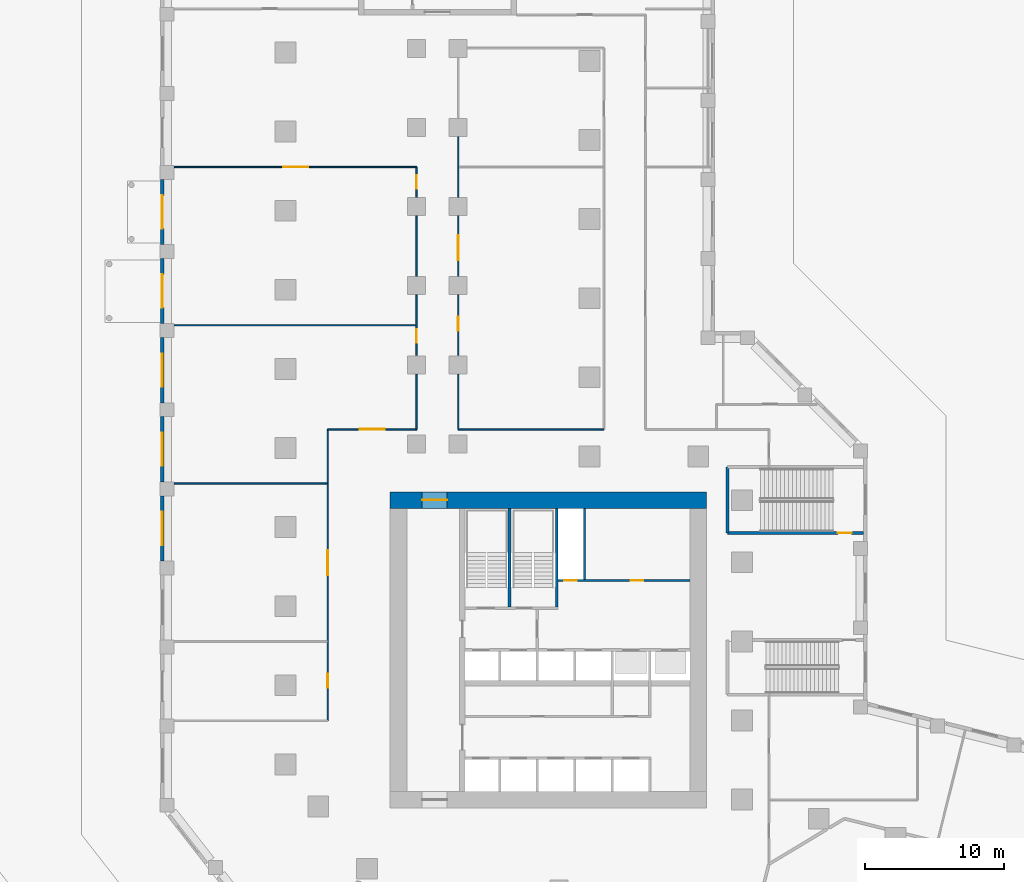
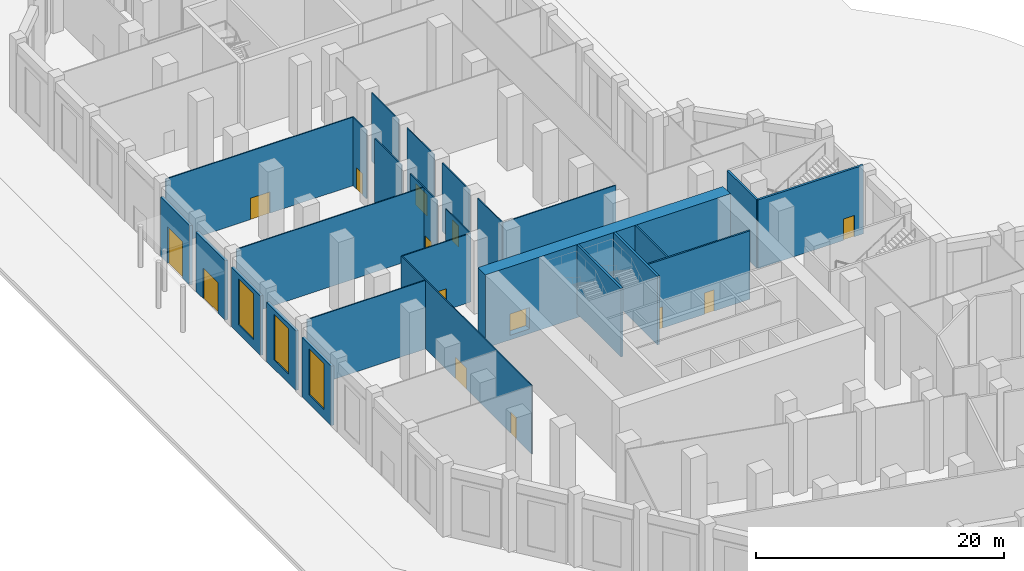
# One storey, part 17 of 27: 26 walls, 14 doors, 3 windows, 17 openings.
"""IFC4 building model written with IfcOpenShell, lengths in metres."""

from ifc_helpers import new_model, si_unit, direction, frame, frame_2d, origin, place, context, subcontext, project, spatial, rectangle, extrude, material, layer, layer_set, type_object, element, fill, save


model = new_model("IFC4")

# Units and contexts
model_context = context("Model", 3, precision=1e-05, world=origin(), true_north=direction((0.0, 1.0)))
body_context = subcontext(model_context, "Body", "Model", "MODEL_VIEW")
ifc_project = project(units=[si_unit("LENGTHUNIT", "METRE"), si_unit("AREAUNIT", "SQUARE_METRE"), si_unit("VOLUMEUNIT", "CUBIC_METRE"), si_unit("PLANEANGLEUNIT", "RADIAN"), si_unit("MASSUNIT", "GRAM", prefix="KILO")], contexts=[model_context])

# Site, building, storey
site_placement = place(None, origin())
site = spatial("IfcSite", under=ifc_project, at=site_placement, CompositionType="ELEMENT")
building_placement = place(site_placement, origin())
building = spatial("IfcBuilding", under=site, at=building_placement, Name="Meshkara Civic Tower", CompositionType="ELEMENT")
storey_placement = place(building_placement, origin())
storey = spatial("IfcBuildingStorey", under=building, at=storey_placement, Name="L00", CompositionType="ELEMENT", Elevation=0.0)

# Wall, openings, doors
ifc_material_1 = material(Name="Blockwork", Category="masonry")
ifc_layer_1 = layer(ifc_material_1, 0.14990234375)
ifc_layer_set_1 = layer_set([ifc_layer_1], Name="Core partition 150")
wall_type_1 = type_object("IfcWallType", Name="Core partition 150", PredefinedType="PARTITIONING", material=ifc_layer_set_1)
wall_1_placement = place(storey_placement, frame((20.10009765625, 30.5, 0.0), z_axis=(0.0, 0.0, 1.0), x_axis=(1.0, 0.0, 0.0)))
wall_1 = element("IfcWall", 1, at=wall_1_placement, inside=storey, type_object=wall_type_1, Name="L00-C010", PredefinedType="PARTITIONING", context=body_context, shape_type="SweptSolid", body=[
    extrude(rectangle(XDim=9.5, YDim=0.14990234375, at=frame_2d((4.75, 0.0))), origin(), (0.0, 0.0, 1.0), 6.75),
])
opening_1_placement = place(wall_1_placement, frame((0.449951171875, 0.0, 0.0)))
opening_1 = element("IfcOpeningElement", 2, at=opening_1_placement, cuts=wall_1, Name="Opening L00-K014", PredefinedType="OPENING", context=body_context, shape_type="SweptSolid", body=[
    extrude(rectangle(XDim=0.89990234375, YDim=2.10009765625, at=frame_2d((0.449951171875, 1.050048828125))), frame((0.0, 0.0849609375, 0.0), z_axis=(0.0, -1.0, 0.0), x_axis=(1.0, 0.0, 0.0)), (0.0, 0.0, 1.0), 0.169921875),
])
opening_2_placement = place(wall_1_placement, frame((5.25, 0.0, 0.0)))
opening_2 = element("IfcOpeningElement", 3, at=opening_2_placement, cuts=wall_1, Name="Opening L00-K015", PredefinedType="OPENING", context=body_context, shape_type="SweptSolid", body=[
    extrude(rectangle(XDim=0.89990234375, YDim=2.10009765625, at=frame_2d((0.449951171875, 1.050048828125))), frame((0.0, 0.0849609375, 0.0), z_axis=(0.0, -1.0, 0.0), x_axis=(1.0, 0.0, 0.0)), (0.0, 0.0, 1.0), 0.169921875),
])
ifc_material_2 = material(Name="Timber door leaf in steel frame", Category="steel")
door_type_1 = type_object("IfcDoorType", Name="Core room door 900", OperationType="SINGLE_SWING_LEFT", PredefinedType="DOOR", material=ifc_material_2)
door_1_placement = place(opening_2_placement, origin())
door_1 = element("IfcDoor", 4, at=door_1_placement, inside=storey, type_object=door_type_1, Name="L00-K015", OperationType="SINGLE_SWING_LEFT", OverallHeight=2.10009765625, OverallWidth=0.89990234375, PredefinedType="DOOR", context=body_context, shape_type="SweptSolid", body=[
    extrude(rectangle(XDim=0.89990234375, YDim=2.10009765625, at=frame_2d((0.449951171875, 1.050048828125))), frame((0.0, 0.02490234375, 0.0), z_axis=(0.0, -1.0, 0.0), x_axis=(1.0, 0.0, 0.0)), (0.0, 0.0, 1.0), 0.050048828125),
])
fill(opening_2, door_1)
ifc_material_3 = material(Name="Fire-rated door leaf in steel frame", Category="steel")
door_type_2 = type_object("IfcDoorType", Name="Riser door 900", OperationType="SINGLE_SWING_LEFT", PredefinedType="DOOR", material=ifc_material_3)
door_2_placement = place(opening_1_placement, origin())
door_2 = element("IfcDoor", 5, at=door_2_placement, inside=storey, type_object=door_type_2, Name="L00-K014", OperationType="SINGLE_SWING_RIGHT", OverallHeight=2.10009765625, OverallWidth=0.89990234375, PredefinedType="DOOR", context=body_context, shape_type="SweptSolid", body=[
    extrude(rectangle(XDim=0.89990234375, YDim=2.10009765625, at=frame_2d((0.449951171875, 1.050048828125))), frame((0.0, 0.02490234375, 0.0), z_axis=(0.0, -1.0, 0.0), x_axis=(1.0, 0.0, 0.0)), (0.0, 0.0, 1.0), 0.050048828125),
])
fill(opening_1, door_2)

# Wall
wall_2_placement = place(storey_placement, frame((22.0, 30.574951171875, 0.0), z_axis=(0.0, 0.0, 1.0), x_axis=(0.0, 1.0, 0.0)))
element("IfcWall", 6, at=wall_2_placement, inside=storey, type_object=wall_type_1, Name="L00-C020", PredefinedType="PARTITIONING", context=body_context, shape_type="SweptSolid", body=[
    extrude(rectangle(XDim=5.125, YDim=0.14990234375, at=frame_2d((2.5625, 0.0))), origin(), (0.0, 0.0, 1.0), 6.75),
])

# Wall, opening, door
ifc_material_4 = material(Name="Concrete C80", Category="concrete")
ifc_layer_2 = layer(ifc_material_4, 1.199951171875)
ifc_layer_set_2 = layer_set([ifc_layer_2], Name="Core ring wall 1200 C80")
wall_type_2 = type_object("IfcWallType", Name="Core ring wall 1200 C80", PredefinedType="SHEAR", material=ifc_layer_set_2)
wall_3_placement = place(storey_placement, frame((8.0, 36.300048828125, -0.449951171875), z_axis=(0.0, 0.0, 1.0), x_axis=(1.0, 0.0, 0.0)))
wall_3 = element("IfcWall", 7, at=wall_3_placement, inside=storey, type_object=wall_type_2, Name="L00-C002", PredefinedType="SHEAR", context=body_context, shape_type="SweptSolid", body=[
    extrude(rectangle(XDim=22.800048828125, YDim=1.199951171875, at=frame_2d((11.39990234375, 0.0))), origin(), (0.0, 0.0, 1.0), 7.199951171875),
])
opening_3_placement = place(wall_3_placement, frame((2.300048828125, 0.0, 0.449951171875)))
opening_3 = element("IfcOpeningElement", 8, at=opening_3_placement, cuts=wall_3, Name="Opening L00-K021", PredefinedType="OPENING", context=body_context, shape_type="SweptSolid", body=[
    extrude(rectangle(XDim=1.800048828125, YDim=2.10009765625, at=frame_2d((0.89990234375, 1.050048828125))), frame((0.0, 0.60986328125, 0.0), z_axis=(0.0, -1.0, 0.0), x_axis=(1.0, 0.0, 0.0)), (0.0, 0.0, 1.0), 1.219970703125),
])
ifc_material_5 = material(Name="Fire-rated door leaf in steel frame", Category="steel")
door_type_3 = type_object("IfcDoorType", Name="Core double door 1800 EI 60", OperationType="DOUBLE_DOOR_SINGLE_SWING", PredefinedType="DOOR", material=ifc_material_5)
door_3_placement = place(opening_3_placement, origin())
door_3 = element("IfcDoor", 9, at=door_3_placement, inside=storey, type_object=door_type_3, Name="L00-K021", OperationType="DOUBLE_DOOR_SINGLE_SWING", OverallHeight=2.10009765625, OverallWidth=1.800048828125, PredefinedType="DOOR", context=body_context, shape_type="SweptSolid", body=[
    extrude(rectangle(XDim=1.800048828125, YDim=2.10009765625, at=frame_2d((0.89990234375, 1.050048828125))), frame((0.0, 0.02490234375, 0.0), z_axis=(0.0, -1.0, 0.0), x_axis=(1.0, 0.0, 0.0)), (0.0, 0.0, 1.0), 0.050048828125),
])
fill(opening_3, door_3)

ifc_material_6 = material(Name="Corridor wall 100")
ifc_layer_3 = layer(ifc_material_6, 0.10009765625)
ifc_layer_set_3 = layer_set([ifc_layer_3], Name="Corridor wall 100")
wall_type_3 = type_object("IfcWallType", Name="Corridor wall 100", PredefinedType="PARTITIONING", material=ifc_layer_set_3)
wall_4_placement = place(storey_placement, frame((-7.580078125, 60.300048828125, 0.0), z_axis=(0.0, 0.0, 1.0), x_axis=(1.0, 0.0, 0.0)))
wall_4 = element("IfcWall", 10, at=wall_4_placement, inside=storey, type_object=wall_type_3, Name="L00-R001", PredefinedType="PARTITIONING", context=body_context, shape_type="SweptSolid", body=[
    extrude(rectangle(XDim=17.47998046875, YDim=0.10009765625, at=frame_2d((8.739990234375, 0.0))), origin(), (0.0, 0.0, 1.0), 6.75),
])
opening_4_placement = place(wall_4_placement, frame((7.8798828125, 0.0, 0.0)))
opening_4 = element("IfcOpeningElement", 11, at=opening_4_placement, cuts=wall_4, Name="Opening L00-P030", PredefinedType="OPENING", context=body_context, shape_type="SweptSolid", body=[
    extrude(rectangle(XDim=1.800048828125, YDim=2.10009765625, at=frame_2d((0.89990234375, 1.050048828125))), frame((0.0, 0.06005859375, 0.0), z_axis=(0.0, -1.0, 0.0), x_axis=(1.0, 0.0, 0.0)), (0.0, 0.0, 1.0), 0.1201171875),
])
ifc_material_7 = material(Name="Door pair 1800 x 2100")
door_type_4 = type_object("IfcDoorType", Name="Door pair 1800 x 2100", OperationType="SINGLE_SWING_LEFT", PredefinedType="DOOR", material=ifc_material_7)
door_4_placement = place(opening_4_placement, origin())
door_4 = element("IfcDoor", 12, at=door_4_placement, inside=storey, type_object=door_type_4, Name="L00-P030", OperationType="DOUBLE_DOOR_SINGLE_SWING", OverallHeight=2.10009765625, OverallWidth=1.800048828125, PredefinedType="DOOR", context=body_context, shape_type="SweptSolid", body=[
    extrude(rectangle(XDim=1.800048828125, YDim=2.10009765625, at=frame_2d((0.89990234375, 1.050048828125))), frame((0.0, 0.02490234375, 0.0), z_axis=(0.0, -1.0, 0.0), x_axis=(1.0, 0.0, 0.0)), (0.0, 0.0, 1.0), 0.050048828125),
])
fill(opening_4, door_4)

# Wall, openings, doors
wall_5_placement = place(storey_placement, frame((3.5, 20.39990234375, 0.0), z_axis=(0.0, 0.0, 1.0), x_axis=(0.0, 1.0, 0.0)))
wall_5 = element("IfcWall", 13, at=wall_5_placement, inside=storey, type_object=wall_type_3, Name="L00-R006", PredefinedType="PARTITIONING", context=body_context, shape_type="SweptSolid", body=[
    extrude(rectangle(XDim=21.0, YDim=0.10009765625, at=frame_2d((10.5, 0.0))), origin(), (0.0, 0.0, 1.0), 6.75),
])
opening_5_placement = place(wall_5_placement, frame((2.3798828125, 0.0, 0.0)))
opening_5 = element("IfcOpeningElement", 14, at=opening_5_placement, cuts=wall_5, Name="Opening L00-P017", PredefinedType="OPENING", context=body_context, shape_type="SweptSolid", body=[
    extrude(rectangle(XDim=1.0, YDim=2.10009765625, at=frame_2d((0.5, 1.050048828125))), frame((0.0, 0.06005859375, 0.0), z_axis=(0.0, -1.0, 0.0), x_axis=(1.0, 0.0, 0.0)), (0.0, 0.0, 1.0), 0.1201171875),
])
opening_6_placement = place(wall_5_placement, frame((10.47998046875, 0.0, 0.0)))
opening_6 = element("IfcOpeningElement", 15, at=opening_6_placement, cuts=wall_5, Name="Opening L00-P020", PredefinedType="OPENING", context=body_context, shape_type="SweptSolid", body=[
    extrude(rectangle(XDim=1.800048828125, YDim=2.10009765625, at=frame_2d((0.89990234375, 1.050048828125))), frame((0.0, 0.06005859375, 0.0), z_axis=(0.0, -1.0, 0.0), x_axis=(1.0, 0.0, 0.0)), (0.0, 0.0, 1.0), 0.1201171875),
])
ifc_material_8 = material(Name="Door 1000 x 2100")
door_type_5 = type_object("IfcDoorType", Name="Door 1000 x 2100", OperationType="SINGLE_SWING_LEFT", PredefinedType="DOOR", material=ifc_material_8)
door_5_placement = place(opening_5_placement, origin())
door_5 = element("IfcDoor", 16, at=door_5_placement, inside=storey, type_object=door_type_5, Name="L00-P017", OperationType="SINGLE_SWING_LEFT", OverallHeight=2.10009765625, OverallWidth=1.0, PredefinedType="DOOR", context=body_context, shape_type="SweptSolid", body=[
    extrude(rectangle(XDim=1.0, YDim=2.10009765625, at=frame_2d((0.5, 1.050048828125))), frame((0.0, 0.02490234375, 0.0), z_axis=(0.0, -1.0, 0.0), x_axis=(1.0, 0.0, 0.0)), (0.0, 0.0, 1.0), 0.050048828125),
])
fill(opening_5, door_5)
door_6_placement = place(opening_6_placement, origin())
door_6 = element("IfcDoor", 17, at=door_6_placement, inside=storey, type_object=door_type_4, Name="L00-P020", OperationType="DOUBLE_DOOR_SINGLE_SWING", OverallHeight=2.10009765625, OverallWidth=1.800048828125, PredefinedType="DOOR", context=body_context, shape_type="SweptSolid", body=[
    extrude(rectangle(XDim=1.800048828125, YDim=2.10009765625, at=frame_2d((0.89990234375, 1.050048828125))), frame((0.0, 0.02490234375, 0.0), z_axis=(0.0, -1.0, 0.0), x_axis=(1.0, 0.0, 0.0)), (0.0, 0.0, 1.0), 0.050048828125),
])
fill(opening_6, door_6)

# Wall, opening, door
wall_6_placement = place(storey_placement, frame((9.89990234375, 41.39990234375, 0.0), z_axis=(0.0, 0.0, 1.0), x_axis=(-1.0, 0.0, 0.0)))
wall_6 = element("IfcWall", 18, at=wall_6_placement, inside=storey, type_object=wall_type_3, Name="L00-R011", PredefinedType="PARTITIONING", context=body_context, shape_type="SweptSolid", body=[
    extrude(rectangle(XDim=6.39990234375, YDim=0.10009765625, at=frame_2d((3.199951171875, 0.0))), origin(), (0.0, 0.0, 1.0), 6.75),
])
opening_7_placement = place(wall_6_placement, frame((2.280029296875, 0.0, 0.0)))
opening_7 = element("IfcOpeningElement", 19, at=opening_7_placement, cuts=wall_6, Name="Opening L00-P022", PredefinedType="OPENING", context=body_context, shape_type="SweptSolid", body=[
    extrude(rectangle(XDim=1.800048828125, YDim=2.10009765625, at=frame_2d((0.89990234375, 1.050048828125))), frame((0.0, 0.06005859375, 0.0), z_axis=(0.0, -1.0, 0.0), x_axis=(1.0, 0.0, 0.0)), (0.0, 0.0, 1.0), 0.1201171875),
])
door_7_placement = place(opening_7_placement, origin())
door_7 = element("IfcDoor", 20, at=door_7_placement, inside=storey, type_object=door_type_4, Name="L00-P022", OperationType="DOUBLE_DOOR_SINGLE_SWING", OverallHeight=2.10009765625, OverallWidth=1.800048828125, PredefinedType="DOOR", context=body_context, shape_type="SweptSolid", body=[
    extrude(rectangle(XDim=1.800048828125, YDim=2.10009765625, at=frame_2d((0.89990234375, 1.050048828125))), frame((0.0, 0.02490234375, 0.0), z_axis=(0.0, -1.0, 0.0), x_axis=(1.0, 0.0, 0.0)), (0.0, 0.0, 1.0), 0.050048828125),
])
fill(opening_7, door_7)

# Wall
wall_7_placement = place(storey_placement, frame((9.89990234375, 45.3798828125, 0.0), z_axis=(0.0, 0.0, 1.0), x_axis=(0.0, -1.0, 0.0)))
element("IfcWall", 21, at=wall_7_placement, inside=storey, type_object=wall_type_3, Name="L00-R012", PredefinedType="PARTITIONING", context=body_context, shape_type="SweptSolid", body=[
    extrude(rectangle(XDim=3.97998046875, YDim=0.10009765625, at=frame_2d((1.989990234375, 0.0))), origin(), (0.0, 0.0, 1.0), 6.75),
])

# Wall, opening, door
wall_8_placement = place(storey_placement, frame((9.89990234375, 51.080078125, 0.0), z_axis=(0.0, 0.0, 1.0), x_axis=(0.0, -1.0, 0.0)))
wall_8 = element("IfcWall", 22, at=wall_8_placement, inside=storey, type_object=wall_type_3, Name="L00-R013", PredefinedType="PARTITIONING", context=body_context, shape_type="SweptSolid", body=[
    extrude(rectangle(XDim=4.360107421875, YDim=0.10009765625, at=frame_2d((2.18017578125, 0.0))), origin(), (0.0, 0.0, 1.0), 6.75),
])
opening_8_placement = place(wall_8_placement, frame((2.4599609375, 0.0, 0.0)))
opening_8 = element("IfcOpeningElement", 23, at=opening_8_placement, cuts=wall_8, Name="Opening L00-P025", PredefinedType="OPENING", context=body_context, shape_type="SweptSolid", body=[
    extrude(rectangle(XDim=1.0, YDim=2.10009765625, at=frame_2d((0.5, 1.050048828125))), frame((0.0, 0.06005859375, 0.0), z_axis=(0.0, -1.0, 0.0), x_axis=(1.0, 0.0, 0.0)), (0.0, 0.0, 1.0), 0.1201171875),
])
door_8_placement = place(opening_8_placement, origin())
door_8 = element("IfcDoor", 24, at=door_8_placement, inside=storey, type_object=door_type_5, Name="L00-P025", OperationType="SINGLE_SWING_LEFT", OverallHeight=2.10009765625, OverallWidth=1.0, PredefinedType="DOOR", context=body_context, shape_type="SweptSolid", body=[
    extrude(rectangle(XDim=1.0, YDim=2.10009765625, at=frame_2d((0.5, 1.050048828125))), frame((0.0, 0.02490234375, 0.0), z_axis=(0.0, -1.0, 0.0), x_axis=(1.0, 0.0, 0.0)), (0.0, 0.0, 1.0), 0.050048828125),
])
fill(opening_8, door_8)

# Wall
wall_9_placement = place(storey_placement, frame((9.89990234375, 56.780029296875, 0.0), z_axis=(0.0, 0.0, 1.0), x_axis=(0.0, -1.0, 0.0)))
element("IfcWall", 25, at=wall_9_placement, inside=storey, type_object=wall_type_3, Name="L00-R014", PredefinedType="PARTITIONING", context=body_context, shape_type="SweptSolid", body=[
    extrude(rectangle(XDim=4.360107421875, YDim=0.10009765625, at=frame_2d((2.18017578125, 0.0))), origin(), (0.0, 0.0, 1.0), 6.75),
])

# Wall, opening, door
wall_10_placement = place(storey_placement, frame((9.89990234375, 60.300048828125, 0.0), z_axis=(0.0, 0.0, 1.0), x_axis=(0.0, -1.0, 0.0)))
wall_10 = element("IfcWall", 26, at=wall_10_placement, inside=storey, type_object=wall_type_3, Name="L00-R015", PredefinedType="PARTITIONING", context=body_context, shape_type="SweptSolid", body=[
    extrude(rectangle(XDim=2.179931640625, YDim=0.10009765625, at=frame_2d((1.08984375, 0.0))), origin(), (0.0, 0.0, 1.0), 6.75),
])
opening_9_placement = place(wall_10_placement, frame((0.580078125, 0.0, 0.0)))
opening_9 = element("IfcOpeningElement", 27, at=opening_9_placement, cuts=wall_10, Name="Opening L00-P028", PredefinedType="OPENING", context=body_context, shape_type="SweptSolid", body=[
    extrude(rectangle(XDim=1.0, YDim=2.10009765625, at=frame_2d((0.5, 1.050048828125))), frame((0.0, 0.06005859375, 0.0), z_axis=(0.0, -1.0, 0.0), x_axis=(1.0, 0.0, 0.0)), (0.0, 0.0, 1.0), 0.1201171875),
])
door_9_placement = place(opening_9_placement, origin())
door_9 = element("IfcDoor", 28, at=door_9_placement, inside=storey, type_object=door_type_5, Name="L00-P028", OperationType="SINGLE_SWING_RIGHT", OverallHeight=2.10009765625, OverallWidth=1.0, PredefinedType="DOOR", context=body_context, shape_type="SweptSolid", body=[
    extrude(rectangle(XDim=1.0, YDim=2.10009765625, at=frame_2d((0.5, 1.050048828125))), frame((0.0, 0.02490234375, 0.0), z_axis=(0.0, -1.0, 0.0), x_axis=(1.0, 0.0, 0.0)), (0.0, 0.0, 1.0), 0.050048828125),
])
fill(opening_9, door_9)

# Wall
wall_11_placement = place(storey_placement, frame((12.89990234375, 41.39990234375, 0.0), z_axis=(0.0, 0.0, 1.0), x_axis=(0.0, 1.0, 0.0)))
element("IfcWall", 29, at=wall_11_placement, inside=storey, type_object=wall_type_3, Name="L00-R019", PredefinedType="PARTITIONING", context=body_context, shape_type="SweptSolid", body=[
    extrude(rectangle(XDim=3.97998046875, YDim=0.10009765625, at=frame_2d((1.989990234375, 0.0))), origin(), (0.0, 0.0, 1.0), 6.75),
])

# Wall, opening, door
wall_12_placement = place(storey_placement, frame((12.89990234375, 46.719970703125, 0.0), z_axis=(0.0, 0.0, 1.0), x_axis=(0.0, 1.0, 0.0)))
wall_12 = element("IfcWall", 30, at=wall_12_placement, inside=storey, type_object=wall_type_3, Name="L00-R020", PredefinedType="PARTITIONING", context=body_context, shape_type="SweptSolid", body=[
    extrude(rectangle(XDim=4.360107421875, YDim=0.10009765625, at=frame_2d((2.18017578125, 0.0))), origin(), (0.0, 0.0, 1.0), 6.75),
])
opening_10_placement = place(wall_12_placement, frame((1.780029296875, 0.0, 0.0)))
opening_10 = element("IfcOpeningElement", 31, at=opening_10_placement, cuts=wall_12, Name="Opening L00-P026", PredefinedType="OPENING", context=body_context, shape_type="SweptSolid", body=[
    extrude(rectangle(XDim=1.0, YDim=2.10009765625, at=frame_2d((0.5, 1.050048828125))), frame((0.0, 0.06005859375, 0.0), z_axis=(0.0, -1.0, 0.0), x_axis=(1.0, 0.0, 0.0)), (0.0, 0.0, 1.0), 0.1201171875),
])
door_10_placement = place(opening_10_placement, origin())
door_10 = element("IfcDoor", 32, at=door_10_placement, inside=storey, type_object=door_type_5, Name="L00-P026", OperationType="SINGLE_SWING_RIGHT", OverallHeight=2.10009765625, OverallWidth=1.0, PredefinedType="DOOR", context=body_context, shape_type="SweptSolid", body=[
    extrude(rectangle(XDim=1.0, YDim=2.10009765625, at=frame_2d((0.5, 1.050048828125))), frame((0.0, 0.02490234375, 0.0), z_axis=(0.0, -1.0, 0.0), x_axis=(1.0, 0.0, 0.0)), (0.0, 0.0, 1.0), 0.050048828125),
])
fill(opening_10, door_10)

wall_13_placement = place(storey_placement, frame((12.89990234375, 52.419921875, 0.0), z_axis=(0.0, 0.0, 1.0), x_axis=(0.0, 1.0, 0.0)))
wall_13 = element("IfcWall", 33, at=wall_13_placement, inside=storey, type_object=wall_type_3, Name="L00-R021", PredefinedType="PARTITIONING", context=body_context, shape_type="SweptSolid", body=[
    extrude(rectangle(XDim=4.360107421875, YDim=0.10009765625, at=frame_2d((2.18017578125, 0.0))), origin(), (0.0, 0.0, 1.0), 6.75),
])
opening_11_placement = place(wall_13_placement, frame((1.179931640625, 0.0, 0.0)))
opening_11 = element("IfcOpeningElement", 34, at=opening_11_placement, cuts=wall_13, Name="Opening L00-P029", PredefinedType="OPENING", context=body_context, shape_type="SweptSolid", body=[
    extrude(rectangle(XDim=1.800048828125, YDim=2.10009765625, at=frame_2d((0.89990234375, 1.050048828125))), frame((0.0, 0.06005859375, 0.0), z_axis=(0.0, -1.0, 0.0), x_axis=(1.0, 0.0, 0.0)), (0.0, 0.0, 1.0), 0.1201171875),
])
door_11_placement = place(opening_11_placement, origin())
door_11 = element("IfcDoor", 35, at=door_11_placement, inside=storey, type_object=door_type_4, Name="L00-P029", OperationType="DOUBLE_DOOR_SINGLE_SWING", OverallHeight=2.10009765625, OverallWidth=1.800048828125, PredefinedType="DOOR", context=body_context, shape_type="SweptSolid", body=[
    extrude(rectangle(XDim=1.800048828125, YDim=2.10009765625, at=frame_2d((0.89990234375, 1.050048828125))), frame((0.0, 0.02490234375, 0.0), z_axis=(0.0, -1.0, 0.0), x_axis=(1.0, 0.0, 0.0)), (0.0, 0.0, 1.0), 0.050048828125),
])
fill(opening_11, door_11)

# Walls
wall_14_placement = place(storey_placement, frame((12.89990234375, 62.47998046875, 0.0), z_axis=(0.0, 0.0, 1.0), x_axis=(0.0, -1.0, 0.0)))
element("IfcWall", 36, at=wall_14_placement, inside=storey, type_object=wall_type_3, Name="L00-R022", PredefinedType="PARTITIONING", context=body_context, shape_type="SweptSolid", body=[
    extrude(rectangle(XDim=4.35986328125, YDim=0.10009765625, at=frame_2d((2.179931640625, 0.0))), origin(), (0.0, 0.0, 1.0), 6.75),
])
wall_15_placement = place(storey_placement, frame((23.39990234375, 41.39990234375, 0.0), z_axis=(0.0, 0.0, 1.0), x_axis=(-1.0, 0.0, 0.0)))
element("IfcWall", 37, at=wall_15_placement, inside=storey, type_object=wall_type_3, Name="L00-R032", PredefinedType="PARTITIONING", context=body_context, shape_type="SweptSolid", body=[
    extrude(rectangle(XDim=10.5, YDim=0.10009765625, at=frame_2d((5.25, 0.0))), origin(), (0.0, 0.0, 1.0), 6.75),
])

# Wall, opening, door
ifc_material_9 = material(Name="Stone cladding on insulated backing wall", Category="masonry")
ifc_layer_4 = layer(ifc_material_9, 0.25)
ifc_layer_set_4 = layer_set([ifc_layer_4], Name="PODIUM BEARING STONE WALL 250")
wall_type_4 = type_object("IfcWallType", Name="PODIUM BEARING STONE WALL 250", PredefinedType="SOLIDWALL", material=ifc_layer_set_4)
wall_16_placement = place(storey_placement, frame((-8.425048828125, 59.410888671875, 0.0), z_axis=(0.0, 0.0, 1.0), x_axis=(0.0, -1.0, 0.0)))
wall_16 = element("IfcWall", 38, at=wall_16_placement, inside=storey, type_object=wall_type_4, Name="Podium external wall", PredefinedType="SOLIDWALL", context=body_context, shape_type="SweptSolid", body=[
    extrude(rectangle(XDim=4.699951171875, YDim=0.25, at=frame_2d((2.35009765625, 0.0))), origin(), (0.0, 0.0, 1.0), 5.85205078125),
])
opening_12_placement = place(wall_16_placement, frame((1.14990234375, 0.0, 0.0)))
opening_12 = element("IfcOpeningElement", 39, at=opening_12_placement, cuts=wall_16, Name="Opening L00-G006", PredefinedType="OPENING", context=body_context, shape_type="SweptSolid", body=[
    extrude(rectangle(XDim=2.39990234375, YDim=3.60009765625, at=frame_2d((1.199951171875, 1.800048828125))), frame((0.0, 0.135009765625, 0.0), z_axis=(0.0, -1.0, 0.0), x_axis=(1.0, 0.0, 0.0)), (0.0, 0.0, 1.0), 0.27001953125),
])
ifc_material_10 = material(Name="Bronze anodised aluminium", Category="aluminium")
door_type_6 = type_object("IfcDoorType", Name="COUNCIL ENTRANCE DOOR 2400x3600", OperationType="DOUBLE_DOOR_DOUBLE_SWING", PredefinedType="DOOR", material=ifc_material_10)
door_12_placement = place(opening_12_placement, origin())
door_12 = element("IfcDoor", 40, at=door_12_placement, inside=storey, type_object=door_type_6, Name="L00-G006", OperationType="DOUBLE_DOOR_DOUBLE_SWING", OverallHeight=3.60009765625, OverallWidth=2.39990234375, PredefinedType="DOOR", context=body_context, shape_type="SweptSolid", body=[
    extrude(rectangle(XDim=2.39990234375, YDim=3.60009765625, at=frame_2d((1.199951171875, 1.800048828125))), frame((0.0, 0.02490234375, 0.0), z_axis=(0.0, -1.0, 0.0), x_axis=(1.0, 0.0, 0.0)), (0.0, 0.0, 1.0), 0.050048828125),
])
fill(opening_12, door_12)

wall_17_placement = place(storey_placement, frame((-8.425048828125, 53.7109375, 0.0), z_axis=(0.0, 0.0, 1.0), x_axis=(0.0, -1.0, 0.0)))
wall_17 = element("IfcWall", 41, at=wall_17_placement, inside=storey, type_object=wall_type_4, Name="Podium external wall", PredefinedType="SOLIDWALL", context=body_context, shape_type="SweptSolid", body=[
    extrude(rectangle(XDim=4.699951171875, YDim=0.25, at=frame_2d((2.35009765625, 0.0))), origin(), (0.0, 0.0, 1.0), 5.85205078125),
])
opening_13_placement = place(wall_17_placement, frame((1.14990234375, 0.0, 0.0)))
opening_13 = element("IfcOpeningElement", 42, at=opening_13_placement, cuts=wall_17, Name="Opening L00-G007", PredefinedType="OPENING", context=body_context, shape_type="SweptSolid", body=[
    extrude(rectangle(XDim=2.39990234375, YDim=3.0, at=frame_2d((1.199951171875, 1.5))), frame((0.0, 0.135009765625, 0.0), z_axis=(0.0, -1.0, 0.0), x_axis=(1.0, 0.0, 0.0)), (0.0, 0.0, 1.0), 0.27001953125),
])
ifc_material_11 = material(Name="Steel S355", Category="steel")
door_type_7 = type_object("IfcDoorType", Name="SERVICE DOOR 2400x3000", OperationType="DOUBLE_DOOR_SINGLE_SWING", PredefinedType="DOOR", material=ifc_material_11)
door_13_placement = place(opening_13_placement, origin())
door_13 = element("IfcDoor", 43, at=door_13_placement, inside=storey, type_object=door_type_7, Name="L00-G007", OperationType="DOUBLE_DOOR_SINGLE_SWING", OverallHeight=3.0, OverallWidth=2.39990234375, PredefinedType="DOOR", context=body_context, shape_type="SweptSolid", body=[
    extrude(rectangle(XDim=2.39990234375, YDim=3.0, at=frame_2d((1.199951171875, 1.5))), frame((0.0, 0.02490234375, 0.0), z_axis=(0.0, -1.0, 0.0), x_axis=(1.0, 0.0, 0.0)), (0.0, 0.0, 1.0), 0.050048828125),
])
fill(opening_13, door_13)

# Wall, opening, window
ifc_material_12 = material(Name="Stone cladding on insulated backing wall", Category="masonry")
ifc_layer_5 = layer(ifc_material_12, 0.25)
ifc_layer_set_5 = layer_set([ifc_layer_5], Name="PODIUM STONE WALL 250")
wall_type_5 = type_object("IfcWallType", Name="PODIUM STONE WALL 250", PredefinedType="SOLIDWALL", material=ifc_layer_set_5)
wall_18_placement = place(storey_placement, frame((-8.425048828125, 48.010986328125, 0.0), z_axis=(0.0, 0.0, 1.0), x_axis=(0.0, -1.0, 0.0)))
wall_18 = element("IfcWall", 44, at=wall_18_placement, inside=storey, type_object=wall_type_5, Name="Podium external wall", PredefinedType="SOLIDWALL", context=body_context, shape_type="SweptSolid", body=[
    extrude(rectangle(XDim=4.699951171875, YDim=0.25, at=frame_2d((2.35009765625, 0.0))), origin(), (0.0, 0.0, 1.0), 5.85009765625),
])
opening_14_placement = place(wall_18_placement, frame((1.14990234375, 0.0, 0.89990234375)))
opening_14 = element("IfcOpeningElement", 45, at=opening_14_placement, cuts=wall_18, Name="Opening PW1", PredefinedType="OPENING", context=body_context, shape_type="SweptSolid", body=[
    extrude(rectangle(XDim=2.39990234375, YDim=4.5, at=frame_2d((1.199951171875, 2.25))), frame((0.0, 0.135009765625, 0.0), z_axis=(0.0, -1.0, 0.0), x_axis=(1.0, 0.0, 0.0)), (0.0, 0.0, 1.0), 0.27001953125),
])
ifc_material_13 = material(Name="Tinted double glazing", Category="glass")
window_type = type_object("IfcWindowType", Name="PODIUM WINDOW 2400x4500", PartitioningType="DOUBLE_PANEL_VERTICAL", PredefinedType="WINDOW", material=ifc_material_13)
window_1_placement = place(opening_14_placement, origin())
window_1 = element("IfcWindow", 46, at=window_1_placement, inside=storey, type_object=window_type, Name="Podium window", OverallHeight=4.5, OverallWidth=2.39990234375, PartitioningType="DOUBLE_PANEL_VERTICAL", PredefinedType="WINDOW", context=body_context, shape_type="SweptSolid", body=[
    extrude(rectangle(XDim=2.39990234375, YDim=4.5, at=frame_2d((1.199951171875, 2.25))), frame((0.0, 0.030029296875, 0.0), z_axis=(0.0, -1.0, 0.0), x_axis=(1.0, 0.0, 0.0)), (0.0, 0.0, 1.0), 0.06005859375),
])
fill(opening_14, window_1)

wall_19_placement = place(storey_placement, frame((-8.425048828125, 42.31103515625, 0.0), z_axis=(0.0, 0.0, 1.0), x_axis=(0.0, -1.0, 0.0)))
wall_19 = element("IfcWall", 47, at=wall_19_placement, inside=storey, type_object=wall_type_5, Name="Podium external wall", PredefinedType="SOLIDWALL", context=body_context, shape_type="SweptSolid", body=[
    extrude(rectangle(XDim=4.699951171875, YDim=0.25, at=frame_2d((2.35009765625, 0.0))), origin(), (0.0, 0.0, 1.0), 5.85009765625),
])
opening_15_placement = place(wall_19_placement, frame((1.14990234375, 0.0, 0.89990234375)))
opening_15 = element("IfcOpeningElement", 48, at=opening_15_placement, cuts=wall_19, Name="Opening PW1", PredefinedType="OPENING", context=body_context, shape_type="SweptSolid", body=[
    extrude(rectangle(XDim=2.39990234375, YDim=4.5, at=frame_2d((1.199951171875, 2.25))), frame((0.0, 0.135009765625, 0.0), z_axis=(0.0, -1.0, 0.0), x_axis=(1.0, 0.0, 0.0)), (0.0, 0.0, 1.0), 0.27001953125),
])
window_2_placement = place(opening_15_placement, origin())
window_2 = element("IfcWindow", 49, at=window_2_placement, inside=storey, type_object=window_type, Name="Podium window", OverallHeight=4.5, OverallWidth=2.39990234375, PartitioningType="DOUBLE_PANEL_VERTICAL", PredefinedType="WINDOW", context=body_context, shape_type="SweptSolid", body=[
    extrude(rectangle(XDim=2.39990234375, YDim=4.5, at=frame_2d((1.199951171875, 2.25))), frame((0.0, 0.030029296875, 0.0), z_axis=(0.0, -1.0, 0.0), x_axis=(1.0, 0.0, 0.0)), (0.0, 0.0, 1.0), 0.06005859375),
])
fill(opening_15, window_2)

wall_20_placement = place(storey_placement, frame((-8.425048828125, 36.611083984375, 0.0), z_axis=(0.0, 0.0, 1.0), x_axis=(0.0, -1.0, 0.0)))
wall_20 = element("IfcWall", 50, at=wall_20_placement, inside=storey, type_object=wall_type_5, Name="Podium external wall", PredefinedType="SOLIDWALL", context=body_context, shape_type="SweptSolid", body=[
    extrude(rectangle(XDim=4.7001953125, YDim=0.25, at=frame_2d((2.35009765625, 0.0))), origin(), (0.0, 0.0, 1.0), 5.85009765625),
])
opening_16_placement = place(wall_20_placement, frame((1.14990234375, 0.0, 0.89990234375)))
opening_16 = element("IfcOpeningElement", 51, at=opening_16_placement, cuts=wall_20, Name="Opening PW1", PredefinedType="OPENING", context=body_context, shape_type="SweptSolid", body=[
    extrude(rectangle(XDim=2.39990234375, YDim=4.5, at=frame_2d((1.199951171875, 2.25))), frame((0.0, 0.135009765625, 0.0), z_axis=(0.0, -1.0, 0.0), x_axis=(1.0, 0.0, 0.0)), (0.0, 0.0, 1.0), 0.27001953125),
])
window_3_placement = place(opening_16_placement, origin())
window_3 = element("IfcWindow", 52, at=window_3_placement, inside=storey, type_object=window_type, Name="Podium window", OverallHeight=4.5, OverallWidth=2.39990234375, PartitioningType="DOUBLE_PANEL_VERTICAL", PredefinedType="WINDOW", context=body_context, shape_type="SweptSolid", body=[
    extrude(rectangle(XDim=2.39990234375, YDim=4.5, at=frame_2d((1.199951171875, 2.25))), frame((0.0, 0.030029296875, 0.0), z_axis=(0.0, -1.0, 0.0), x_axis=(1.0, 0.0, 0.0)), (0.0, 0.0, 1.0), 0.06005859375),
])
fill(opening_16, window_3)

# Walls
ifc_material_14 = material(Name="Partition 100")
ifc_layer_6 = layer(ifc_material_14, 0.10009765625)
ifc_layer_set_6 = layer_set([ifc_layer_6], Name="Partition 100")
wall_type_6 = type_object("IfcWallType", Name="Partition 100", PredefinedType="PARTITIONING", material=ifc_layer_set_6)
wall_21_placement = place(storey_placement, frame((3.449951171875, 37.5, 0.0), z_axis=(0.0, 0.0, 1.0), x_axis=(-1.0, 0.0, 0.0)))
element("IfcWall", 53, at=wall_21_placement, inside=storey, type_object=wall_type_6, Name="L00-R085", PredefinedType="PARTITIONING", context=body_context, shape_type="SweptSolid", body=[
    extrude(rectangle(XDim=11.030029296875, YDim=0.10009765625, at=frame_2d((5.51513671875, 0.0))), origin(), (0.0, 0.0, 1.0), 6.75),
])
wall_22_placement = place(storey_placement, frame((9.85009765625, 48.89990234375, 0.0), z_axis=(0.0, 0.0, 1.0), x_axis=(-1.0, 0.0, 0.0)))
element("IfcWall", 54, at=wall_22_placement, inside=storey, type_object=wall_type_6, Name="L00-R088", PredefinedType="PARTITIONING", context=body_context, shape_type="SweptSolid", body=[
    extrude(rectangle(XDim=17.43017578125, YDim=0.10009765625, at=frame_2d((8.715087890625, 0.0))), origin(), (0.0, 0.0, 1.0), 6.75),
])
ifc_material_15 = material(Name="Concrete C40/50", Category="concrete")
ifc_layer_7 = layer(ifc_material_15, 0.199951171875)
ifc_layer_set_7 = layer_set([ifc_layer_7], Name="Stair enclosure wall 200 C40/50")
wall_type_7 = type_object("IfcWallType", Name="Stair enclosure wall 200 C40/50", PredefinedType="SOLIDWALL", material=ifc_layer_set_7)
for number, where, z_axis, x_axis, name in (
    (55, (16.60009765625, 28.60009765625, 0.0), (0.0, 0.0, 1.0), (0.0, 1.0, 0.0), "L00-C014"),
    (56, (20.0, 28.60009765625, 0.0), (0.0, 0.0, 1.0), (0.0, 1.0, 0.0), "L00-C017"),
):
    element("IfcWall", number, at=place(storey_placement, frame(where, z_axis=z_axis, x_axis=x_axis)), inside=storey, type_object=wall_type_7, Name=name, PredefinedType="SOLIDWALL", context=body_context, shape_type="SweptSolid", body=[
        extrude(rectangle(XDim=7.099853515625, YDim=0.199951171875, at=frame_2d((3.5498046875, 0.0))), origin(), (0.0, 0.0, 1.0), 6.75),
    ])
wall_23_placement = place(storey_placement, frame((32.300048828125, 33.925048828125, 0.0), z_axis=(0.0, 0.0, 1.0), x_axis=(0.0, 1.0, 0.0)))
element("IfcWall", 57, at=wall_23_placement, inside=storey, type_object=wall_type_7, Name="L00-R040", PredefinedType="SOLIDWALL", context=body_context, shape_type="SweptSolid", body=[
    extrude(rectangle(XDim=4.75, YDim=0.199951171875, at=frame_2d((2.375, 0.0))), origin(), (0.0, 0.0, 1.0), 6.75),
])

# Wall, opening, door
wall_24_placement = place(storey_placement, frame((42.10009765625, 33.925048828125, 0.0), z_axis=(0.0, 0.0, 1.0), x_axis=(-1.0, 0.0, 0.0)))
wall_24 = element("IfcWall", 58, at=wall_24_placement, inside=storey, type_object=wall_type_7, Name="L00-R052", PredefinedType="SOLIDWALL", context=body_context, shape_type="SweptSolid", body=[
    extrude(rectangle(XDim=9.800048828125, YDim=0.199951171875, at=frame_2d((4.89990234375, 0.0))), origin(), (0.0, 0.0, 1.0), 6.75),
])
opening_17_placement = place(wall_24_placement, frame((0.85009765625, 0.0, 0.0)))
opening_17 = element("IfcOpeningElement", 59, at=opening_17_placement, cuts=wall_24, Name="Opening L00-P021", PredefinedType="OPENING", context=body_context, shape_type="SweptSolid", body=[
    extrude(rectangle(XDim=1.0, YDim=2.10009765625, at=frame_2d((0.5, 1.050048828125))), frame((0.0, 0.10986328125, 0.0), z_axis=(0.0, -1.0, 0.0), x_axis=(1.0, 0.0, 0.0)), (0.0, 0.0, 1.0), 0.219970703125),
])
door_14_placement = place(opening_17_placement, origin())
door_14 = element("IfcDoor", 60, at=door_14_placement, inside=storey, type_object=door_type_5, Name="L00-P021", OperationType="SINGLE_SWING_LEFT", OverallHeight=2.10009765625, OverallWidth=1.0, PredefinedType="DOOR", context=body_context, shape_type="SweptSolid", body=[
    extrude(rectangle(XDim=1.0, YDim=2.10009765625, at=frame_2d((0.5, 1.050048828125))), frame((0.0, 0.02490234375, 0.0), z_axis=(0.0, -1.0, 0.0), x_axis=(1.0, 0.0, 0.0)), (0.0, 0.0, 1.0), 0.050048828125),
])
fill(opening_17, door_14)

save(model, "model.ifc")
